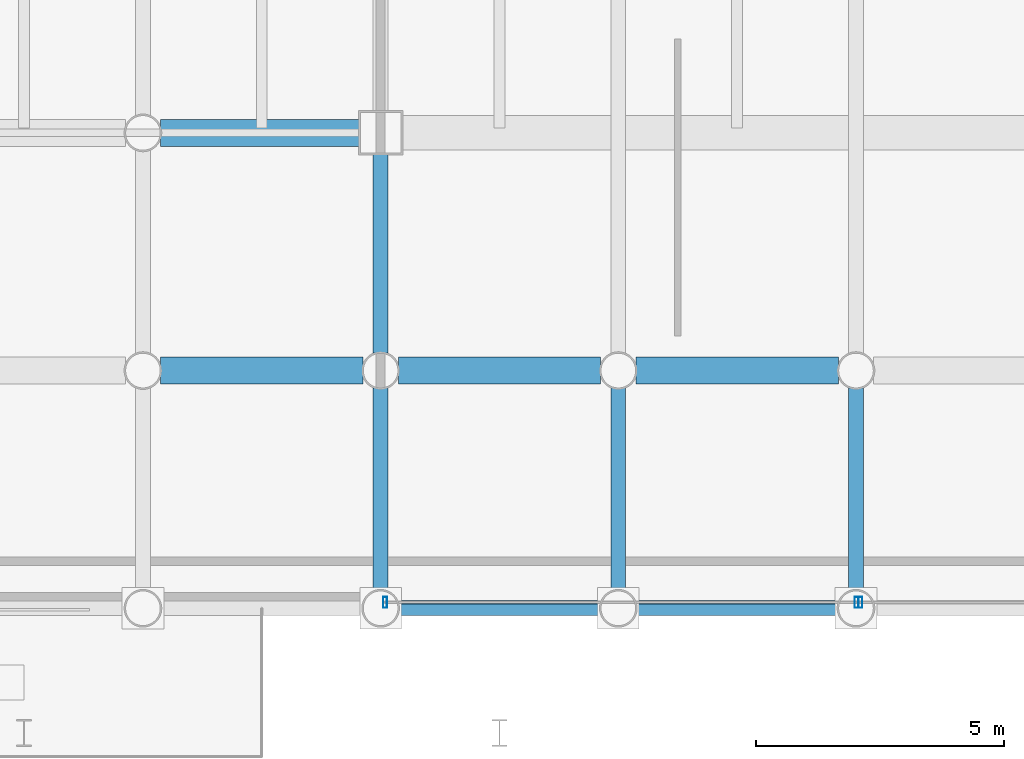
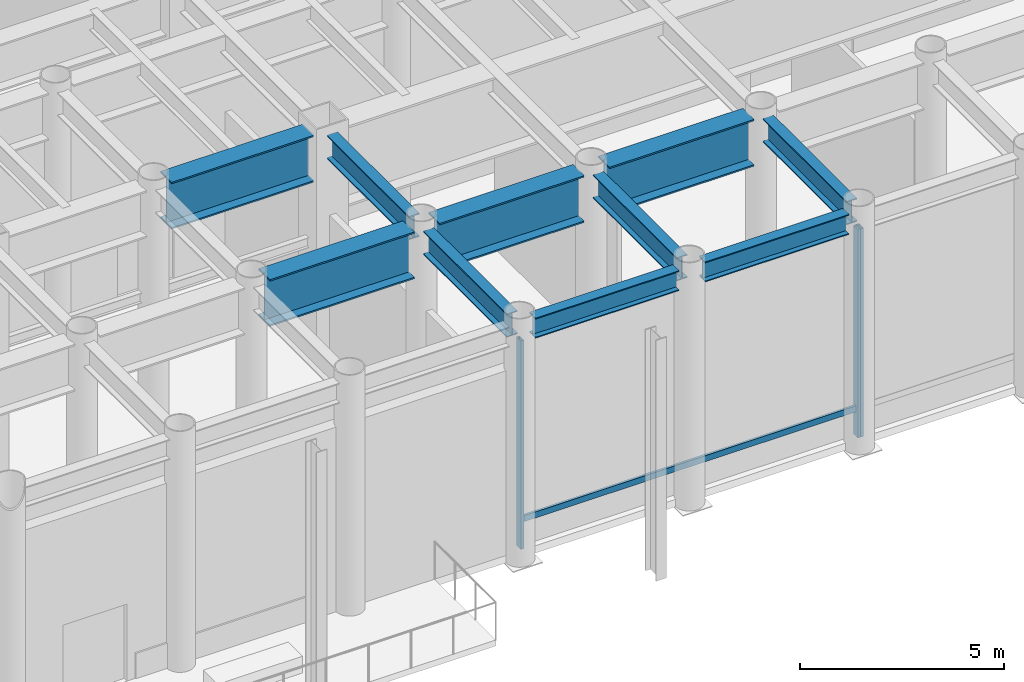
# One storey, part 4 of 23: 10 beams, 4 members, 2 elements without a shape of their own.
"""IFC4 building model written with IfcOpenShell, lengths in metres."""

from ifc_helpers import new_model, si_unit, direction, frame, origin, origin_2d, place, context, subcontext, project, spatial, hollow_rectangle, i_section, extrude, material, layer, layer_set, material_profile, profile_set, type_object, element, aggregate, save


model = new_model("IFC4")

# Units and contexts
model_context = context("Model", 3, precision=1e-05, world=origin(), true_north=direction((0.0, 1.0)))
body_context = subcontext(model_context, "Body", "Model", "MODEL_VIEW")
ifc_project = project(units=[si_unit("LENGTHUNIT", "METRE"), si_unit("AREAUNIT", "SQUARE_METRE"), si_unit("VOLUMEUNIT", "CUBIC_METRE"), si_unit("PLANEANGLEUNIT", "RADIAN"), si_unit("MASSUNIT", "GRAM", prefix="KILO")], contexts=[model_context])

# Site, building, storey
site_placement = place(None, origin())
site = spatial("IfcSite", under=ifc_project, at=site_placement, CompositionType="ELEMENT")
building_placement = place(site_placement, origin())
building = spatial("IfcBuilding", under=site, at=building_placement, Name="Kallvorn Hotel Tower", CompositionType="ELEMENT")
storey_placement = place(building_placement, frame((0.0, 0.0, 12.0)))
storey = spatial("IfcBuildingStorey", under=building, at=storey_placement, Name="L02", CompositionType="ELEMENT", Elevation=12.0)

# Beams
ifc_material_1 = material(Name="Structural steel S355JR", Category="steel")
ifc_material_profile_1 = material_profile(ifc_material_1, i_section(OverallWidth=0.300048828125, OverallDepth=0.60009765625, WebThickness=0.015380859375, FlangeThickness=0.030029296875, at=origin_2d()), Name="HE 600 B")
ifc_profile_set_1 = profile_set([ifc_material_profile_1], Name="Structural steel S355JR")
beam_type_1 = type_object("IfcBeamType", Name="BM_HE600B", PredefinedType="SPANDREL", material=ifc_profile_set_1)
for number, where, z_axis, x_axis, name in (
    (1, (-14.029052734375, -24.0, 6.6201171875), (1.0, 0.0, 0.0), (0.0, 1.0, 0.0), "L03 Perimeter Spandrel 171"),
    (2, (-9.22900390625, -24.0, 6.6201171875), (1.0, 0.0, 0.0), (0.0, 1.0, 0.0), "L03 Perimeter Spandrel 172"),
):
    element("IfcBeam", number, at=place(storey_placement, frame(where, z_axis=z_axis, x_axis=x_axis)), inside=storey, type_object=beam_type_1, Name=name, PredefinedType="SPANDREL", context=body_context, shape_type="SweptSolid", body=[
        extrude(i_section(OverallWidth=0.300048828125, OverallDepth=0.60009765625, WebThickness=0.015380859375, FlangeThickness=0.030029296875, at=origin_2d()), origin(), (0.0, 0.0, 1.0), 4.05810546875),
    ])
ifc_material_2 = material(Name="Structural steel S355JR", Category="steel")
ifc_material_profile_2 = material_profile(ifc_material_2, i_section(OverallWidth=0.300048828125, OverallDepth=0.699951171875, WebThickness=0.01708984375, FlangeThickness=0.031982421875, at=origin_2d()), Name="HE 700 B")
ifc_profile_set_2 = profile_set([ifc_material_profile_2], Name="Structural steel S355JR")
beam_type_2 = type_object("IfcBeamType", Name="BM_HE700B", PredefinedType="BEAM", material=ifc_profile_set_2)
beam_1_placement = place(storey_placement, frame((-14.39990234375, -23.64404296875, 6.570068359375), z_axis=(0.0, 1.0, 0.0), x_axis=(-1.0, 0.0, 0.0)))
element("IfcBeam", 3, at=beam_1_placement, inside=storey, type_object=beam_type_2, Name="L03 Primary Y-Girder 106", PredefinedType="BEAM", context=body_context, shape_type="SweptSolid", body=[
    extrude(i_section(OverallWidth=0.300048828125, OverallDepth=0.699951171875, WebThickness=0.01708984375, FlangeThickness=0.031982421875, at=origin_2d()), origin(), (0.0, 0.0, 1.0), 4.088134765625),
])
beam_2_placement = place(storey_placement, frame((-14.39990234375, -18.843994140625, 6.570068359375), z_axis=(0.0, 1.0, 0.0), x_axis=(-1.0, 0.0, 0.0)))
element("IfcBeam", 4, at=beam_2_placement, inside=storey, type_object=beam_type_2, Name="L03 Primary Y-Girder 107", PredefinedType="BEAM", context=body_context, shape_type="SweptSolid", body=[
    extrude(i_section(OverallWidth=0.300048828125, OverallDepth=0.699951171875, WebThickness=0.01708984375, FlangeThickness=0.031982421875, at=origin_2d()), origin(), (0.0, 0.0, 1.0), 4.01904296875),
])
for number, where, z_axis, x_axis, name in (
    (5, (-9.60009765625, -23.64404296875, 6.570068359375), (0.0, 1.0, 0.0), (-1.0, 0.0, 0.0), "L03 Primary Y-Girder 112"),
    (6, (-4.800048828125, -23.64404296875, 6.570068359375), (0.0, 1.0, 0.0), (-1.0, 0.0, 0.0), "L03 Primary Y-Girder 116"),
):
    element("IfcBeam", number, at=place(storey_placement, frame(where, z_axis=z_axis, x_axis=x_axis)), inside=storey, type_object=beam_type_2, Name=name, PredefinedType="BEAM", context=body_context, shape_type="SweptSolid", body=[
        extrude(i_section(OverallWidth=0.300048828125, OverallDepth=0.699951171875, WebThickness=0.01708984375, FlangeThickness=0.031982421875, at=origin_2d()), origin(), (0.0, 0.0, 1.0), 4.088134765625),
    ])
ifc_material_3 = material(Name="Structural steel S355JR", Category="steel")
ifc_material_profile_3 = material_profile(ifc_material_3, i_section(OverallWidth=0.550048828125, OverallDepth=1.39990234375, WebThickness=0.02490234375, FlangeThickness=0.044921875, at=origin_2d()), Name="PG 1400x550x25x45")
ifc_profile_set_3 = profile_set([ifc_material_profile_3], Name="Structural steel S355JR")
beam_type_3 = type_object("IfcBeamType", Name="BM_PG_1400", PredefinedType="BEAM", material=ifc_profile_set_3)
for number, where, z_axis, x_axis, name in (
    (7, (-18.843994140625, -19.199951171875, 6.219970703125), (1.0, 0.0, 0.0), (0.0, 1.0, 0.0), "L03 Primary X-Girder 05"),
    (8, (-14.0439453125, -19.199951171875, 6.219970703125), (1.0, 0.0, 0.0), (0.0, 1.0, 0.0), "L03 Primary X-Girder 06"),
    (9, (-9.243896484375, -19.199951171875, 6.219970703125), (1.0, 0.0, 0.0), (0.0, 1.0, 0.0), "L03 Primary X-Girder 07"),
):
    element("IfcBeam", number, at=place(storey_placement, frame(where, z_axis=z_axis, x_axis=x_axis)), inside=storey, type_object=beam_type_3, Name=name, PredefinedType="BEAM", context=body_context, shape_type="SweptSolid", body=[
        extrude(i_section(OverallWidth=0.550048828125, OverallDepth=1.39990234375, WebThickness=0.02490234375, FlangeThickness=0.044921875, at=origin_2d()), origin(), (0.0, 0.0, 1.0), 4.087890625),
    ])
beam_3_placement = place(storey_placement, frame((-18.843994140625, -14.39990234375, 6.219970703125), z_axis=(1.0, 0.0, 0.0), x_axis=(0.0, 1.0, 0.0)))
element("IfcBeam", 10, at=beam_3_placement, inside=storey, type_object=beam_type_3, Name="L03 Primary X-Girder 19", PredefinedType="BEAM", context=body_context, shape_type="SweptSolid", body=[
    extrude(i_section(OverallWidth=0.550048828125, OverallDepth=1.39990234375, WebThickness=0.02490234375, FlangeThickness=0.044921875, at=origin_2d()), origin(), (0.0, 0.0, 1.0), 4.01904296875),
])

# Curtain wall, members
ifc_material_4 = material(Name="Thermally broken black-anodised aluminium AA 6063-T6", Category="aluminium")
ifc_layer = layer(ifc_material_4, 0.219970703125)
ifc_layer_set = layer_set([ifc_layer], Name="CW_SYS_2_PODIUM_CASC")
curtain_wall_type = type_object("IfcCurtainWallType", Name="CW_SYS_2_PODIUM_CASC", PredefinedType="USERDEFINED", material=ifc_layer_set)
curtain_wall_1_placement = place(storey_placement, origin())
curtain_wall_1 = element("IfcCurtainWall", 11, at=curtain_wall_1_placement, inside=storey, type_object=curtain_wall_type, Name="L02 Dark-Glass Curtain Wall CW-L02-S1", ObjectType="UNITISED CURTAIN WALL", PredefinedType="USERDEFINED")
ifc_material_5 = material(Name="Thermally broken black-anodised aluminium AA 6063-T6", Category="aluminium")
ifc_material_profile_4 = material_profile(ifc_material_5, hollow_rectangle(XDim=0.080078125, YDim=0.219970703125, WallThickness=0.0048828125, at=origin_2d()), Name="MUL 220x80")
ifc_profile_set_4 = profile_set([ifc_material_profile_4], Name="Thermally broken black-anodised aluminium AA 6063-T6")
member_type_1 = type_object("IfcMemberType", Name="CW_MULLION_220x80", PredefinedType="MULLION", material=ifc_profile_set_4)
member_1_placement = place(storey_placement, frame((-14.31005859375, -23.8798828125, 0.02001953125), z_axis=(0.0, 0.0, 1.0), x_axis=(1.0, 0.0, 0.0)))
member_1 = element("IfcMember", 12, at=member_1_placement, type_object=member_type_1, Name="CW-L02-S1 Mullion 00", PredefinedType="MULLION", context=body_context, shape_type="SweptSolid", body=[
    extrude(hollow_rectangle(XDim=0.080078125, YDim=0.219970703125, WallThickness=0.0048828125, at=origin_2d()), origin(), (0.0, 0.0, 1.0), 6.22998046875),
])
member_2_placement = place(storey_placement, frame((-4.7900390625, -23.8798828125, 0.02001953125), z_axis=(0.0, 0.0, 1.0), x_axis=(1.0, 0.0, 0.0)))
member_2 = element("IfcMember", 13, at=member_2_placement, type_object=member_type_1, Name="CW-L02-S1 Mullion 01", PredefinedType="MULLION", context=body_context, shape_type="SweptSolid", body=[
    extrude(hollow_rectangle(XDim=0.080078125, YDim=0.219970703125, WallThickness=0.0048828125, at=origin_2d()), origin(), (0.0, 0.0, 1.0), 6.22998046875),
])

# Curtain wall, member
curtain_wall_2_placement = place(storey_placement, origin())
curtain_wall_2 = element("IfcCurtainWall", 14, at=curtain_wall_2_placement, inside=storey, type_object=curtain_wall_type, Name="L02 Dark-Glass Curtain Wall CW-L02-S2", ObjectType="UNITISED CURTAIN WALL", PredefinedType="USERDEFINED")
member_3_placement = place(storey_placement, frame((-4.7099609375, -23.8798828125, 0.02001953125), z_axis=(0.0, 0.0, 1.0), x_axis=(1.0, 0.0, 0.0)))
member_3 = element("IfcMember", 15, at=member_3_placement, type_object=member_type_1, Name="CW-L02-S2 Mullion 00", PredefinedType="MULLION", context=body_context, shape_type="SweptSolid", body=[
    extrude(hollow_rectangle(XDim=0.080078125, YDim=0.219970703125, WallThickness=0.0048828125, at=origin_2d()), origin(), (0.0, 0.0, 1.0), 6.22998046875),
])
aggregate(curtain_wall_2, [member_3])

# Member
ifc_material_6 = material(Name="Thermally broken black-anodised aluminium AA 6063-T6", Category="aluminium")
ifc_material_profile_5 = material_profile(ifc_material_6, hollow_rectangle(XDim=0.070068359375, YDim=0.179931640625, WallThickness=0.00390625, at=origin_2d()), Name="TRN 180x70")
ifc_profile_set_5 = profile_set([ifc_material_profile_5], Name="Thermally broken black-anodised aluminium AA 6063-T6")
member_type_2 = type_object("IfcMemberType", Name="CW_TRANSOM_180x70", PredefinedType="USERDEFINED", material=ifc_profile_set_5)
member_4_placement = place(storey_placement, frame((-14.31005859375, -23.8798828125, 0.85009765625), z_axis=(1.0, 0.0, 0.0), x_axis=(0.0, 1.0, 0.0)))
member_4 = element("IfcMember", 16, at=member_4_placement, type_object=member_type_2, Name="CW-L02-S1 Transom 00M", ObjectType="TRANSOM", PredefinedType="USERDEFINED", context=body_context, shape_type="SweptSolid", body=[
    extrude(hollow_rectangle(XDim=0.070068359375, YDim=0.179931640625, WallThickness=0.00390625, at=origin_2d()), origin(), (0.0, 0.0, 1.0), 9.52001953125),
])

aggregate(curtain_wall_1, [member_1, member_2, member_4])

save(model, "model.ifc")
